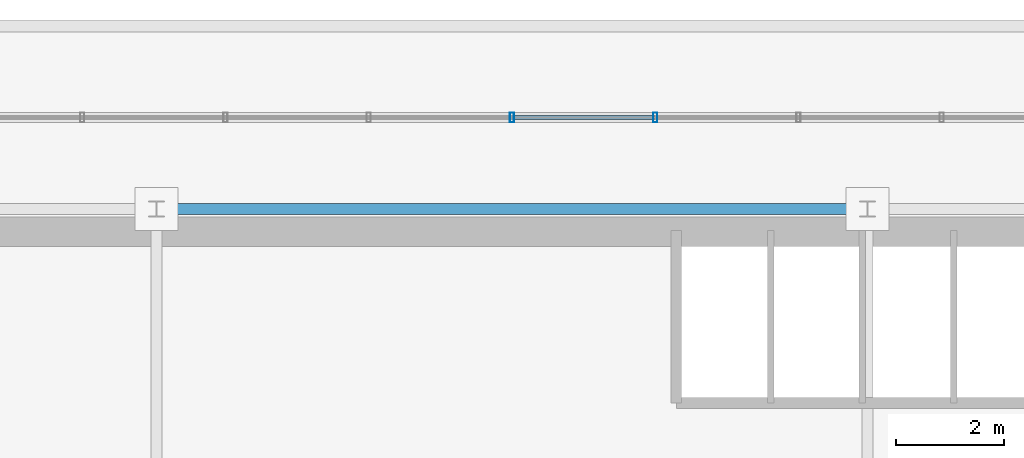
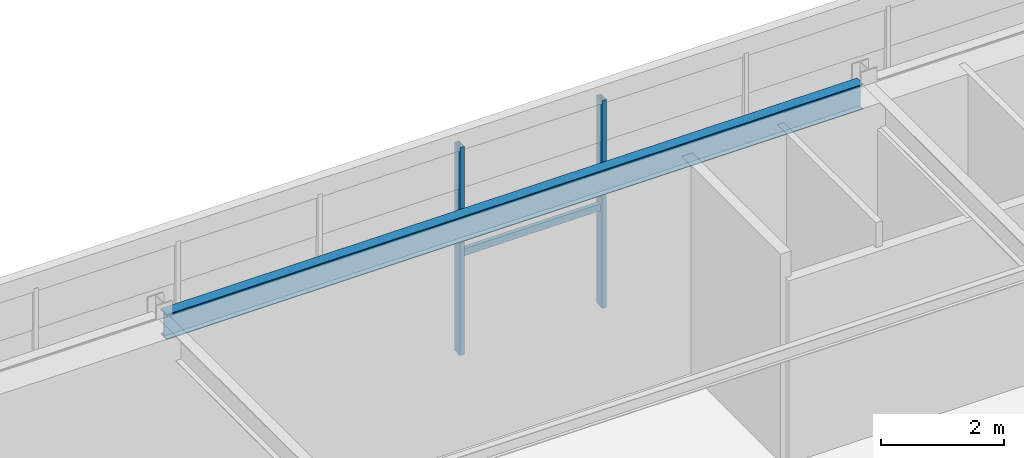
# One storey, part 21 of 38: 3 members, 1 beam, 1 element without a shape of its own.
"""IFC4 building model written with IfcOpenShell, lengths in metres."""

from ifc_helpers import new_model, si_unit, direction, frame, origin, origin_2d, place, context, subcontext, project, spatial, hollow_rectangle, i_section, extrude, source, transform, mapped, material, material_profile, profile_set, type_object, element, aggregate, save


model = new_model("IFC4")

# Units and contexts
model_context = context("Model", 3, precision=1e-05, world=origin(), true_north=direction((0.0, 1.0)))
body_context = subcontext(model_context, "Body", "Model", "MODEL_VIEW")
ifc_project = project(units=[si_unit("LENGTHUNIT", "METRE"), si_unit("AREAUNIT", "SQUARE_METRE"), si_unit("VOLUMEUNIT", "CUBIC_METRE"), si_unit("PLANEANGLEUNIT", "RADIAN"), si_unit("MASSUNIT", "GRAM", prefix="KILO")], contexts=[model_context])

# Site, building, storey
site_placement = place(None, origin())
site = spatial("IfcSite", under=ifc_project, at=site_placement, CompositionType="ELEMENT")
building_placement = place(site_placement, origin())
building = spatial("IfcBuilding", under=site, at=building_placement, Name="Trelvane Seafront Commons", CompositionType="ELEMENT")
storey_placement = place(building_placement, frame((0.0, 0.0, 299.10009765625)))
storey = spatial("IfcBuildingStorey", under=building, at=storey_placement, Name="L78", CompositionType="ELEMENT", Elevation=299.10009765625)

# Beam
ifc_material_1 = material(Name="Steel SM355 (S355)", Category="steel")
ifc_material_profile_1 = material_profile(ifc_material_1, i_section(OverallWidth=0.199951171875, OverallDepth=0.5, WebThickness=0.010009765625, FlangeThickness=0.01611328125, at=origin_2d()), Name="H-500x200x10x16")
ifc_profile_set_1 = profile_set([ifc_material_profile_1], Name="Steel SM355 (S355)")
beam_type = type_object("IfcBeamType", Name="STR-CROWN-FRAME-RING", PredefinedType="SPANDREL", material=ifc_profile_set_1)
shared_shape_1 = source(origin(), body_context, "Body", "SweptSolid", [
    extrude(i_section(OverallWidth=0.199951171875, OverallDepth=0.5, WebThickness=0.010009765625, FlangeThickness=0.01611328125, at=origin_2d()), origin(), (0.0, 0.0, 1.0), 13.050048828125),
])
beam_placement = place(storey_placement, frame((30.675048828125, 45.10009765625, 3.869873046875), z_axis=(1.0, 0.0, 0.0), x_axis=(0.0, 1.0, 0.0)))
element("IfcBeam", 1, at=beam_placement, inside=storey, type_object=beam_type, Name="L78 CROWN FRAME Ring Beam G-18", PredefinedType="SPANDREL", context=body_context, shape_type="MappedRepresentation", body=[
    mapped(shared_shape_1, transform((0.0, 0.0, 0.0), x_axis=(1.0, 0.0, 0.0), y_axis=(0.0, 1.0, 0.0), z_axis=(0.0, 0.0, 1.0), scale=1.0)),
])

# Curtain wall, members
ifc_material_2 = material(Name="Anodised pale-silver aluminium", Category="aluminium")
curtain_wall_type = type_object("IfcCurtainWallType", Name="ARCH-CW6-CROWN", PredefinedType="NOTDEFINED", material=ifc_material_2)
curtain_wall_placement = place(storey_placement, origin())
curtain_wall = element("IfcCurtainWall", 2, at=curtain_wall_placement, inside=storey, type_object=curtain_wall_type, Name="CW-L78-0125", PredefinedType="NOTDEFINED")
ifc_material_profile_2 = material_profile(ifc_material_2, hollow_rectangle(XDim=0.080078125, YDim=0.179931640625, WallThickness=0.00439453125, at=origin_2d()), Name="MULL-80x180x4.5")
ifc_profile_set_2 = profile_set([ifc_material_profile_2], Name="Anodised pale-silver aluminium")
member_type_1 = type_object("IfcMemberType", Name="ARCH-CW-MULL-180", PredefinedType="MULLION", material=ifc_profile_set_2)
shared_shape_2 = source(origin(), body_context, "Body", "SweptSolid", [
    extrude(hollow_rectangle(XDim=0.080078125, YDim=0.179931640625, WallThickness=0.00439453125, at=origin_2d()), origin(), (0.0, 0.0, 1.0), 4.119873046875),
])
member_1_placement = place(storey_placement, frame((37.199951171875, 46.800048828125, 0.0), z_axis=(0.0, 0.0, 1.0), x_axis=(1.0, 0.0, 0.0)))
member_1 = element("IfcMember", 3, at=member_1_placement, type_object=member_type_1, Name="CW-L78-0125-M10", PredefinedType="MULLION", context=body_context, shape_type="MappedRepresentation", body=[
    mapped(shared_shape_2, transform((0.0, 0.0, 0.0), x_axis=(1.0, 0.0, 0.0), y_axis=(0.0, 1.0, 0.0), z_axis=(0.0, 0.0, 1.0), scale=1.0)),
])
member_2_placement = place(storey_placement, frame((39.860107421875, 46.800048828125, 0.0), z_axis=(0.0, 0.0, 1.0), x_axis=(1.0, 0.0, 0.0)))
member_2 = element("IfcMember", 4, at=member_2_placement, type_object=member_type_1, Name="CW-L78-0125-M11", PredefinedType="MULLION", context=body_context, shape_type="MappedRepresentation", body=[
    mapped(shared_shape_2, transform((0.0, 0.0, 0.0), x_axis=(1.0, 0.0, 0.0), y_axis=(0.0, 1.0, 0.0), z_axis=(0.0, 0.0, 1.0), scale=1.0)),
])
ifc_material_profile_3 = material_profile(ifc_material_2, hollow_rectangle(XDim=0.074951171875, YDim=0.139892578125, WallThickness=0.00390625, at=origin_2d()), Name="TRAN-75x140x4")
ifc_profile_set_3 = profile_set([ifc_material_profile_3], Name="Anodised pale-silver aluminium")
member_type_2 = type_object("IfcMemberType", Name="ARCH-CW-TRAN-140", PredefinedType="USERDEFINED", material=ifc_profile_set_3)
shared_shape_3 = source(origin(), body_context, "Body", "SweptSolid", [
    extrude(hollow_rectangle(XDim=0.074951171875, YDim=0.139892578125, WallThickness=0.00390625, at=origin_2d()), origin(), (0.0, 0.0, 1.0), 2.635986328125),
])
member_3_placement = place(storey_placement, frame((37.2119140625, 46.800048828125, 1.977783203125), z_axis=(1.0, 0.0, 0.0), x_axis=(0.0, 1.0, 0.0)))
member_3 = element("IfcMember", 5, at=member_3_placement, type_object=member_type_2, Name="CW-L78-0125-T10", ObjectType="TRANSOM", PredefinedType="USERDEFINED", context=body_context, shape_type="MappedRepresentation", body=[
    mapped(shared_shape_3, transform((0.0, 0.0, 0.0), x_axis=(1.0, 0.0, 0.0), y_axis=(0.0, 1.0, 0.0), z_axis=(0.0, 0.0, 1.0), scale=1.0)),
])
aggregate(curtain_wall, [member_1, member_2, member_3])

save(model, "model.ifc")
